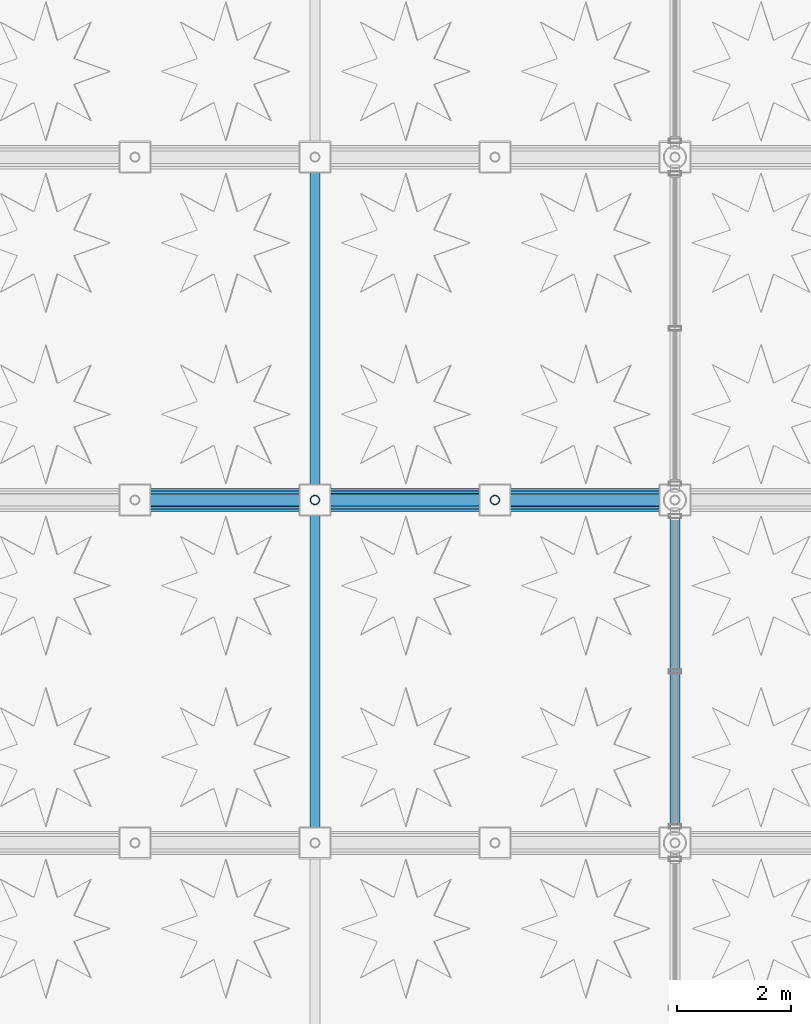
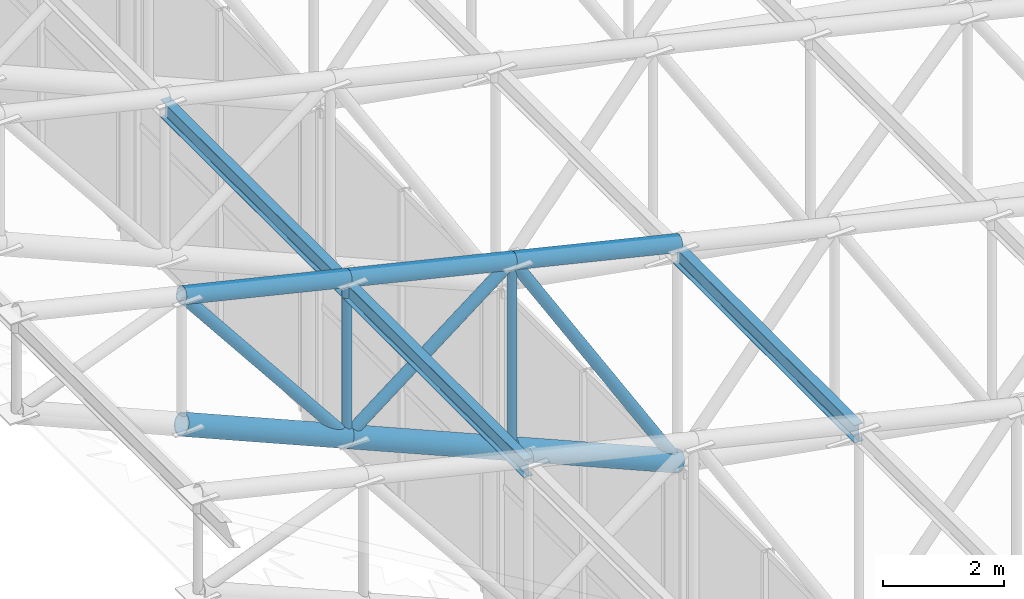
# One storey, part 27 of 112: 11 members, 3 beams.
"""IFC4 building model written with IfcOpenShell, lengths in metres."""

from ifc_helpers import new_model, si_unit, direction, frame, origin, origin_2d, place, context, subcontext, project, spatial, hollow_circle, i_section, extrude, material, material_profile, profile_set, type_object, element, save


model = new_model("IFC4")

# Units and contexts
model_context = context("Model", 3, precision=1e-05, world=origin(), true_north=direction((0.0, 1.0)))
body_context = subcontext(model_context, "Body", "Model", "MODEL_VIEW")
ifc_project = project(units=[si_unit("LENGTHUNIT", "METRE"), si_unit("AREAUNIT", "SQUARE_METRE"), si_unit("VOLUMEUNIT", "CUBIC_METRE"), si_unit("PLANEANGLEUNIT", "RADIAN"), si_unit("MASSUNIT", "GRAM", prefix="KILO"), si_unit("THERMODYNAMICTEMPERATUREUNIT", "KELVIN"), si_unit("POWERUNIT", "WATT")], contexts=[model_context])

# Site, building, storey
site_placement = place(None, origin())
site = spatial("IfcSite", under=ifc_project, at=site_placement, CompositionType="ELEMENT")
building_placement = place(site_placement, origin())
building = spatial("IfcBuilding", under=site, at=building_placement, Name="Phaisarnlok Congress Hotel", CompositionType="ELEMENT")
storey_placement = place(building_placement, frame((0.0, 0.0, 19.800048828125)))
storey = spatial("IfcBuildingStorey", under=building, at=storey_placement, Name="L04", CompositionType="ELEMENT", Elevation=19.800048828125)

# Beams
ifc_material = material(Name="Steel S355", Category="steel")
ifc_material_profile_1 = material_profile(ifc_material, i_section(OverallWidth=0.169921875, OverallDepth=0.360107421875, WebThickness=0.008056640625, FlangeThickness=0.0126953125, FilletRadius=0.01806640625, at=origin_2d()), Name="IPE 360")
ifc_profile_set_1 = profile_set([ifc_material_profile_1], Name="Steel S355")
beam_type_1 = type_object("IfcBeamType", Name="JS-STL-IPE360", PredefinedType="JOIST", material=ifc_profile_set_1)
beam_placement = place(storey_placement, frame((120.0, 54.0, 10.6005859375), z_axis=(0.0, 1.0, 0.0), x_axis=(-1.0, 0.0, 0.0)))
element("IfcBeam", 1, at=beam_placement, inside=storey, type_object=beam_type_1, Name="Cloister wing roof purlin", PredefinedType="JOIST", context=body_context, shape_type="SweptSolid", body=[
    extrude(i_section(OverallWidth=0.169921875, OverallDepth=0.360107421875, WebThickness=0.008056640625, FlangeThickness=0.0126953125, FilletRadius=0.01806640625, at=origin_2d()), origin(), (0.0, 0.0, 1.0), 6.0),
])
ifc_material_profile_2 = material_profile(ifc_material, i_section(OverallWidth=0.169921875, OverallDepth=0.360107421875, WebThickness=0.008056640625, FlangeThickness=0.0126953125, FilletRadius=0.01806640625, at=origin_2d()), Name="IPE 360")
ifc_profile_set_2 = profile_set([ifc_material_profile_2], Name="Steel S355")
beam_type_2 = type_object("IfcBeamType", Name="JS-STL-IPE360-EXT", PredefinedType="JOIST", material=ifc_profile_set_2)
for number, where, z_axis, x_axis, name in (
    (2, (113.699951171875, 54.0, 12.104248046875), (0.0, 1.0, 0.0), (-1.0, 0.0, 0.0), "Cloister wing roof purlin"),
    (3, (113.699951171875, 60.0, 12.104248046875), (0.0, 1.0, 0.0), (-1.0, 0.0, 0.0), "Cloister wing roof purlin"),
):
    element("IfcBeam", number, at=place(storey_placement, frame(where, z_axis=z_axis, x_axis=x_axis)), inside=storey, type_object=beam_type_2, Name=name, PredefinedType="JOIST", context=body_context, shape_type="SweptSolid", body=[
        extrude(i_section(OverallWidth=0.169921875, OverallDepth=0.360107421875, WebThickness=0.008056640625, FlangeThickness=0.0126953125, FilletRadius=0.01806640625, at=origin_2d()), origin(), (0.0, 0.0, 1.0), 6.0),
    ])

# Members
ifc_material_profile_3 = material_profile(ifc_material, hollow_circle(Radius=0.084228515625, WallThickness=0.010009765625, at=origin_2d()), Name="CHS 168.3x10")
ifc_profile_set_3 = profile_set([ifc_material_profile_3], Name="Steel S355")
member_type_1 = type_object("IfcMemberType", Name="MEM-BRC-CHS168-EXT", PredefinedType="BRACE", material=ifc_profile_set_3)
member_1_placement = place(storey_placement, frame((116.85009765625, 60.0, 7.75), z_axis=(0.0, 0.0, 1.0), x_axis=(1.0, 0.0, 0.0)))
element("IfcMember", 4, at=member_1_placement, inside=storey, type_object=member_type_1, Name="Cloister wing roof truss vertical web", PredefinedType="BRACE", context=body_context, shape_type="SweptSolid", body=[
    extrude(hollow_circle(Radius=0.084228515625, WallThickness=0.010009765625, at=origin_2d()), origin(), (0.0, 0.0, 1.0), 3.79443359375),
])
member_2_placement = place(storey_placement, frame((113.699951171875, 60.0, 9.099853515625), z_axis=(0.0, 0.0, 1.0), x_axis=(1.0, 0.0, 0.0)))
element("IfcMember", 5, at=member_2_placement, inside=storey, type_object=member_type_1, Name="Cloister wing roof truss vertical web", PredefinedType="BRACE", context=body_context, shape_type="SweptSolid", body=[
    extrude(hollow_circle(Radius=0.084228515625, WallThickness=0.010009765625, at=origin_2d()), origin(), (0.0, 0.0, 1.0), 3.1962890625),
])
ifc_material_profile_4 = material_profile(ifc_material, hollow_circle(Radius=0.109619140625, WallThickness=0.012451171875, at=origin_2d()), Name="CHS 219.1x12.5")
ifc_profile_set_4 = profile_set([ifc_material_profile_4], Name="Steel S355")
member_type_2 = type_object("IfcMemberType", Name="MEM-BRC-CHS219-EXT", PredefinedType="BRACE", material=ifc_profile_set_4)
member_3_placement = place(storey_placement, frame((120.0, 60.0, 6.39990234375), z_axis=(-0.522176688857, 0.0, 0.852837326584), x_axis=(0.0, -1.0, 0.0)))
element("IfcMember", 6, at=member_3_placement, inside=storey, type_object=member_type_2, Name="Cloister wing roof truss diagonal brace", PredefinedType="BRACE", context=body_context, shape_type="SweptSolid", body=[
    extrude(hollow_circle(Radius=0.109619140625, WallThickness=0.012451171875, at=origin_2d()), origin(), (0.0, 0.0, 1.0), 6.0322265625),
])
member_4_placement = place(storey_placement, frame((113.699951171875, 60.0, 9.099853515625), z_axis=(0.790024309268, 0.0, 0.613075517996), x_axis=(0.0, 1.0, 0.0)))
element("IfcMember", 7, at=member_4_placement, inside=storey, type_object=member_type_2, Name="Cloister wing roof truss diagonal brace", PredefinedType="BRACE", context=body_context, shape_type="SweptSolid", body=[
    extrude(hollow_circle(Radius=0.109619140625, WallThickness=0.012451171875, at=origin_2d()), origin(), (0.0, 0.0, 1.0), 3.9873046875),
])
member_5_placement = place(storey_placement, frame((113.699951171875, 60.0, 9.099853515625), z_axis=(-0.623645214912, 0.0, 0.78170751942), x_axis=(0.0, -1.0, 0.0)))
element("IfcMember", 8, at=member_5_placement, inside=storey, type_object=member_type_2, Name="Cloister wing roof truss diagonal brace", PredefinedType="BRACE", context=body_context, shape_type="SweptSolid", body=[
    extrude(hollow_circle(Radius=0.109619140625, WallThickness=0.012451171875, at=origin_2d()), origin(), (0.0, 0.0, 1.0), 5.05078125),
])
ifc_material_profile_5 = material_profile(ifc_material, hollow_circle(Radius=0.161865234375, WallThickness=0.01611328125, at=origin_2d()), Name="CHS 323.9x16")
ifc_profile_set_5 = profile_set([ifc_material_profile_5], Name="Steel S355")
member_type_3 = type_object("IfcMemberType", Name="MEM-CHD-CHS324-EXT", PredefinedType="CHORD", material=ifc_profile_set_5)
for number, where, z_axis, x_axis, name in (
    (9, (120.0, 60.0, 10.79248046875), (-0.972668531165, 0.0, 0.232198037203), (0.0, -1.0, 0.0), "Cloister wing roof truss top chord"),
    (10, (116.85009765625, 60.0, 11.54443359375), (-0.972689617372, 0.0, 0.232109690141), (0.0, -1.0, 0.0), "Cloister wing roof truss top chord"),
    (11, (113.699951171875, 60.0, 12.296142578125), (-0.972668531165, 0.0, 0.232198037203), (0.0, -1.0, 0.0), "Cloister wing roof truss top chord"),
):
    element("IfcMember", number, at=place(storey_placement, frame(where, z_axis=z_axis, x_axis=x_axis)), inside=storey, type_object=member_type_3, Name=name, PredefinedType="CHORD", context=body_context, shape_type="SweptSolid", body=[
        extrude(hollow_circle(Radius=0.161865234375, WallThickness=0.01611328125, at=origin_2d()), origin(), (0.0, 0.0, 1.0), 3.238525390625),
    ])
ifc_material_profile_6 = material_profile(ifc_material, hollow_circle(Radius=0.203125, WallThickness=0.02001953125, at=origin_2d()), Name="CHS 406.4x20")
ifc_profile_set_6 = profile_set([ifc_material_profile_6], Name="Steel S355")
member_type_4 = type_object("IfcMemberType", Name="MEM-CHD-CHS406-EXT", PredefinedType="CHORD", material=ifc_profile_set_6)
member_6_placement = place(storey_placement, frame((120.0, 60.0, 6.39990234375), z_axis=(-0.919130290196, 0.0, 0.393953689721), x_axis=(0.0, -1.0, 0.0)))
element("IfcMember", 12, at=member_6_placement, inside=storey, type_object=member_type_4, Name="Cloister wing roof truss bottom chord", PredefinedType="CHORD", context=body_context, shape_type="SweptSolid", body=[
    extrude(hollow_circle(Radius=0.203125, WallThickness=0.02001953125, at=origin_2d()), origin(), (0.0, 0.0, 1.0), 3.427001953125),
])
member_7_placement = place(storey_placement, frame((116.85009765625, 60.0, 7.75), z_axis=(-0.919167136512, 0.0, 0.393867712762), x_axis=(0.0, -1.0, 0.0)))
element("IfcMember", 13, at=member_7_placement, inside=storey, type_object=member_type_4, Name="Cloister wing roof truss bottom chord", PredefinedType="CHORD", context=body_context, shape_type="SweptSolid", body=[
    extrude(hollow_circle(Radius=0.203125, WallThickness=0.02001953125, at=origin_2d()), origin(), (0.0, 0.0, 1.0), 3.42724609375),
])
member_8_placement = place(storey_placement, frame((113.699951171875, 60.0, 9.099853515625), z_axis=(-0.919130290196, 0.0, 0.393953689721), x_axis=(0.0, -1.0, 0.0)))
element("IfcMember", 14, at=member_8_placement, inside=storey, type_object=member_type_4, Name="Cloister wing roof truss bottom chord", PredefinedType="CHORD", context=body_context, shape_type="SweptSolid", body=[
    extrude(hollow_circle(Radius=0.203125, WallThickness=0.02001953125, at=origin_2d()), origin(), (0.0, 0.0, 1.0), 3.427001953125),
])

save(model, "model.ifc")
